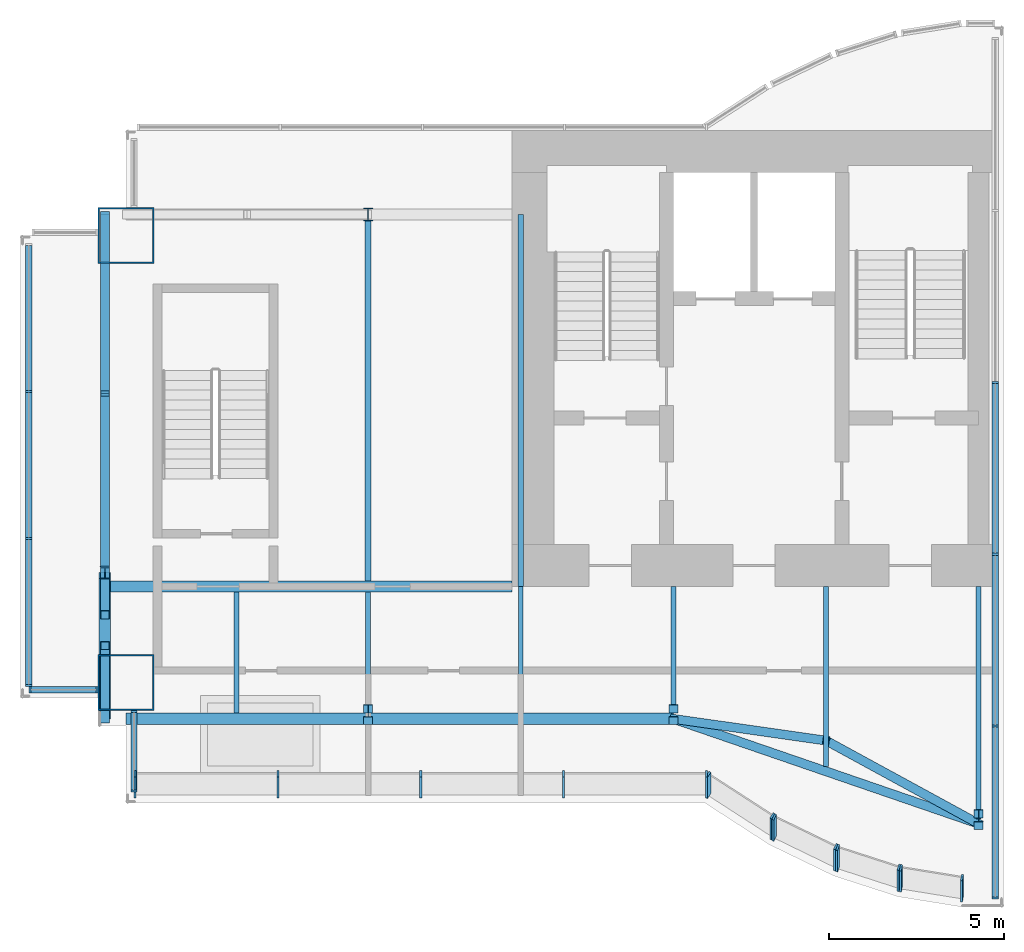
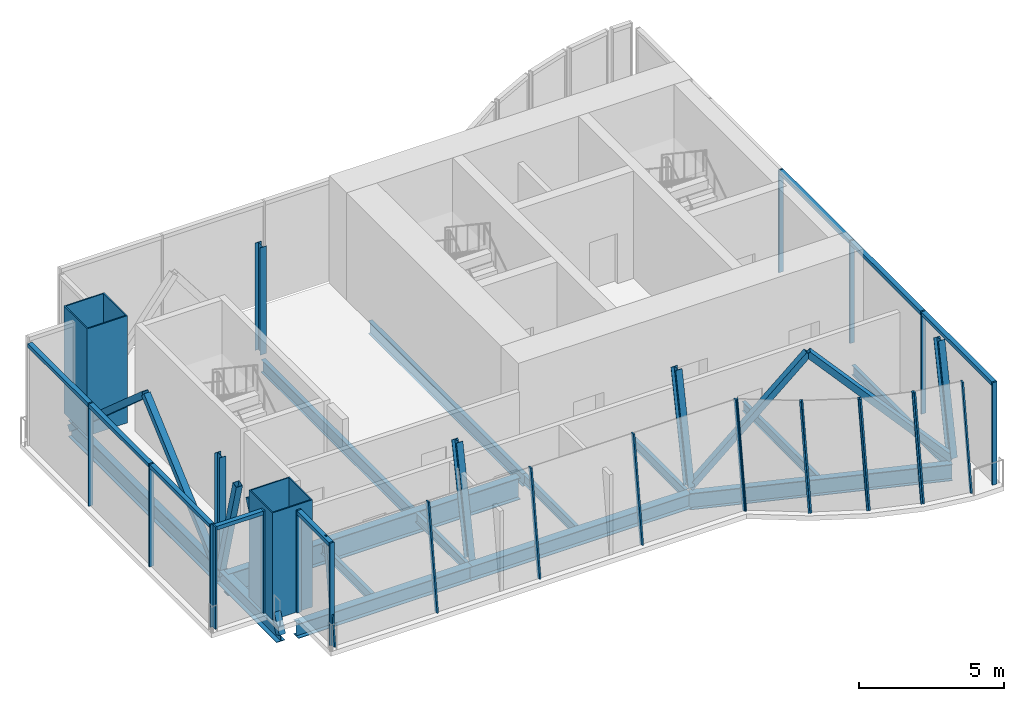
# One storey, part 1 of 6: 38 members, 14 beams, 7 columns, 9 elements without a shape of their own.
"""IFC4 building model written with IfcOpenShell, lengths in metres."""

from ifc_helpers import new_model, si_unit, direction, frame, origin, origin_2d, place, context, subcontext, project, spatial, rectangle, hollow_rectangle, i_section, extrude, material, material_profile, profile_set, type_object, element, aggregate, save


model = new_model("IFC4")

# Units and contexts
model_context = context("Model", 3, precision=1e-05, world=origin(), true_north=direction((0.0, 1.0)))
body_context = subcontext(model_context, "Body", "Model", "MODEL_VIEW")
ifc_project = project(units=[si_unit("LENGTHUNIT", "METRE"), si_unit("AREAUNIT", "SQUARE_METRE"), si_unit("VOLUMEUNIT", "CUBIC_METRE"), si_unit("PLANEANGLEUNIT", "RADIAN"), si_unit("MASSUNIT", "GRAM", prefix="KILO")], contexts=[model_context])

# Site, building, storey
site_placement = place(None, origin())
site = spatial("IfcSite", under=ifc_project, at=site_placement, CompositionType="ELEMENT")
building_placement = place(site_placement, origin())
building = spatial("IfcBuilding", under=site, at=building_placement, Name="Bicima Exchange Tower", CompositionType="ELEMENT")
storey_placement = place(building_placement, frame((0.0, 0.0, 374.89990234375)))
storey = spatial("IfcBuildingStorey", under=building, at=storey_placement, Name="L84", CompositionType="ELEMENT", Elevation=374.89990234375)

# Columns
ifc_material_1 = material(Name="Steel ASTM A572 Gr 50", Category="steel")
ifc_material_profile_1 = material_profile(ifc_material_1, hollow_rectangle(XDim=1.60009765625, YDim=1.60009765625, WallThickness=0.050048828125, at=origin_2d()))
ifc_profile_set_1 = profile_set([ifc_material_profile_1], Name="Steel ASTM A572 Gr 50")
column_type_1 = type_object("IfcColumnType", Name="Mega column BOX 1600x1600x50", PredefinedType="COLUMN", material=ifc_profile_set_1)
for number, where, z_axis, x_axis, name in (
    (1, (-33.0, -15.735107421875, 0.0), (0.0, 0.0, 1.0), (1.0, 0.0, 0.0), "Mega column mega-33.0f"),
    (2, (-33.0, -3.0, 0.0), (0.0, 0.0, 1.0), (1.0, 0.0, 0.0), "Mega column mega-33.0r"),
):
    element("IfcColumn", number, at=place(storey_placement, frame(where, z_axis=z_axis, x_axis=x_axis)), inside=storey, type_object=column_type_1, Name=name, PredefinedType="COLUMN", context=body_context, shape_type="SweptSolid", body=[
        extrude(hollow_rectangle(XDim=1.60009765625, YDim=1.60009765625, WallThickness=0.050048828125, at=origin_2d()), origin(), (0.0, 0.0, 1.0), 4.5),
    ])
ifc_material_2 = material(Name="Steel ASTM A992 Gr 50", Category="steel")
ifc_material_profile_2 = material_profile(ifc_material_2, i_section(OverallWidth=0.25390625, OverallDepth=0.35302734375, WebThickness=0.009521484375, FlangeThickness=0.016357421875, at=origin_2d()))
ifc_profile_set_2 = profile_set([ifc_material_profile_2], Name="Steel ASTM A992 Gr 50")
column_type_2 = type_object("IfcColumnType", Name="Perimeter column W14x61", PredefinedType="COLUMN", material=ifc_profile_set_2)
column_1_placement = place(storey_placement, frame((-26.10009765625, -16.766845703125, 0.03369140625), z_axis=(0.0, 0.191154699822, 0.981559922132), x_axis=(-1.0, 0.0, 0.0)))
element("IfcColumn", 3, at=column_1_placement, inside=storey, type_object=column_type_2, Name="Perimeter column grav-26.1f", PredefinedType="COLUMN", context=body_context, shape_type="SweptSolid", body=[
    extrude(i_section(OverallWidth=0.25390625, OverallDepth=0.35302734375, WebThickness=0.009521484375, FlangeThickness=0.016357421875, at=origin_2d()), origin(), (0.0, 0.0, 1.0), 4.51611328125),
])
column_2_placement = place(storey_placement, frame((-26.10009765625, -2.39990234375, 0.0), z_axis=(0.0, 0.0, 1.0), x_axis=(1.0, 0.0, 0.0)))
element("IfcColumn", 4, at=column_2_placement, inside=storey, type_object=column_type_2, Name="Perimeter column grav-26.1r", PredefinedType="COLUMN", context=body_context, shape_type="SweptSolid", body=[
    extrude(i_section(OverallWidth=0.25390625, OverallDepth=0.35302734375, WebThickness=0.009521484375, FlangeThickness=0.016357421875, at=origin_2d()), origin(), (0.0, 0.0, 1.0), 4.5),
])
for number, where, z_axis, x_axis, name in (
    (5, (-17.39990234375, -16.766845703125, 0.03369140625), (0.0, 0.191154699822, 0.981559922132), (-1.0, 0.0, 0.0), "Perimeter column grav-17.4f"),
    (6, (-8.699951171875, -19.758056640625, 0.03369140625), (0.0, 0.191206783257, 0.981549777666), (-1.0, 0.0, 0.0), "Perimeter column grav-8.7f"),
):
    element("IfcColumn", number, at=place(storey_placement, frame(where, z_axis=z_axis, x_axis=x_axis)), inside=storey, type_object=column_type_2, Name=name, PredefinedType="COLUMN", context=body_context, shape_type="SweptSolid", body=[
        extrude(i_section(OverallWidth=0.25390625, OverallDepth=0.35302734375, WebThickness=0.009521484375, FlangeThickness=0.016357421875, at=origin_2d()), origin(), (0.0, 0.0, 1.0), 4.51611328125),
    ])
column_3_placement = place(storey_placement, frame((-33.60009765625, -12.60009765625, 0.0), z_axis=(0.0, 0.0, 1.0), x_axis=(1.0, 0.0, 0.0)))
element("IfcColumn", 7, at=column_3_placement, inside=storey, type_object=column_type_2, Name="End column end-33.6e", PredefinedType="COLUMN", context=body_context, shape_type="SweptSolid", body=[
    extrude(i_section(OverallWidth=0.25390625, OverallDepth=0.35302734375, WebThickness=0.009521484375, FlangeThickness=0.016357421875, at=origin_2d()), origin(), (0.0, 0.0, 1.0), 4.5),
])

# Beam
ifc_material_profile_3 = material_profile(ifc_material_2, i_section(OverallWidth=0.3046875, OverallDepth=0.911865234375, WebThickness=0.015869140625, FlangeThickness=0.02392578125, at=origin_2d()))
ifc_profile_set_3 = profile_set([ifc_material_profile_3], Name="Steel ASTM A992 Gr 50")
beam_type_1 = type_object("IfcBeamType", Name="Core-line girder W36x150", PredefinedType="BEAM", material=ifc_profile_set_3)
beam_1_placement = place(storey_placement, frame((-22.0, -13.0, -0.65576171875), z_axis=(-1.0, 0.0, 0.0), x_axis=(0.0, -1.0, 0.0)))
element("IfcBeam", 8, at=beam_1_placement, inside=storey, type_object=beam_type_1, Name="Core-line girder", PredefinedType="BEAM", context=body_context, shape_type="SweptSolid", body=[
    extrude(i_section(OverallWidth=0.3046875, OverallDepth=0.911865234375, WebThickness=0.015869140625, FlangeThickness=0.02392578125, at=origin_2d()), origin(), (0.0, 0.0, 1.0), 11.60009765625),
])

# Curtain wall, members
ifc_material_3 = material(Name="Anodised bronze aluminium", Category="aluminium")
curtain_wall_type = type_object("IfcCurtainWallType", Name="Crown glass wall", PredefinedType="NOTDEFINED", material=ifc_material_3)
curtain_wall_1_placement = place(storey_placement, origin())
curtain_wall_1 = element("IfcCurtainWall", 9, at=curtain_wall_1_placement, inside=storey, type_object=curtain_wall_type, Name="Crown glass wall L84 run 2", PredefinedType="NOTDEFINED")
ifc_material_profile_4 = material_profile(ifc_material_3, rectangle(XDim=0.179931640625, YDim=0.06005859375, at=origin_2d()))
ifc_profile_set_4 = profile_set([ifc_material_profile_4], Name="Anodised bronze aluminium")
member_type_1 = type_object("IfcMemberType", Name="Crown glass wall mullion 60 x 180", PredefinedType="MULLION", material=ifc_profile_set_4)
member_1_placement = place(storey_placement, frame((-8.22998046875, -21.87646484375, 0.0), z_axis=(0.0, 0.0, 1.0), x_axis=(-1.0, 0.0, 0.0)))
member_1 = element("IfcMember", 10, at=member_1_placement, type_object=member_type_1, Name="Crown glass wall mullion 1", PredefinedType="MULLION", context=body_context, shape_type="SweptSolid", body=[
    extrude(rectangle(XDim=0.179931640625, YDim=0.06005859375, at=origin_2d()), origin(), (0.0, 0.0, 1.0), 4.300048828125),
])
member_2_placement = place(storey_placement, frame((-8.22998046875, -16.978515625, 0.0), z_axis=(0.0, 0.0, 1.0), x_axis=(-1.0, 0.0, 0.0)))
member_2 = element("IfcMember", 11, at=member_2_placement, type_object=member_type_1, Name="Crown glass wall mullion 2", PredefinedType="MULLION", context=body_context, shape_type="SweptSolid", body=[
    extrude(rectangle(XDim=0.179931640625, YDim=0.06005859375, at=origin_2d()), origin(), (0.0, 0.0, 1.0), 4.300048828125),
])
member_3_placement = place(storey_placement, frame((-8.22998046875, -12.08056640625, 0.0), z_axis=(0.0, 0.0, 1.0), x_axis=(-1.0, 0.0, 0.0)))
member_3 = element("IfcMember", 12, at=member_3_placement, type_object=member_type_1, Name="Crown glass wall mullion 3", PredefinedType="MULLION", context=body_context, shape_type="SweptSolid", body=[
    extrude(rectangle(XDim=0.179931640625, YDim=0.06005859375, at=origin_2d()), origin(), (0.0, 0.0, 1.0), 4.300048828125),
])
member_4_placement = place(storey_placement, frame((-8.22998046875, -7.182861328125, 0.0), z_axis=(0.0, 0.0, 1.0), x_axis=(-1.0, 0.0, 0.0)))
member_4 = element("IfcMember", 13, at=member_4_placement, type_object=member_type_1, Name="Crown glass wall mullion 4", PredefinedType="MULLION", context=body_context, shape_type="SweptSolid", body=[
    extrude(rectangle(XDim=0.179931640625, YDim=0.06005859375, at=origin_2d()), origin(), (0.0, 0.0, 1.0), 4.300048828125),
])

curtain_wall_2_placement = place(storey_placement, origin())
curtain_wall_2 = element("IfcCurtainWall", 14, at=curtain_wall_2_placement, inside=storey, type_object=curtain_wall_type, Name="Crown glass wall L84 run 11", PredefinedType="NOTDEFINED")
member_5_placement = place(storey_placement, frame((-35.77001953125, -7.44775390625, 0.0), z_axis=(0.0, 0.0, 1.0), x_axis=(1.0, 0.0, 0.0)))
member_5 = element("IfcMember", 15, at=member_5_placement, type_object=member_type_1, Name="Crown glass wall mullion 2", PredefinedType="MULLION", context=body_context, shape_type="SweptSolid", body=[
    extrude(rectangle(XDim=0.179931640625, YDim=0.06005859375, at=origin_2d()), origin(), (0.0, 0.0, 1.0), 4.300048828125),
])
member_6_placement = place(storey_placement, frame((-35.77001953125, -11.635498046875, 0.0), z_axis=(0.0, 0.0, 1.0), x_axis=(1.0, 0.0, 0.0)))
member_6 = element("IfcMember", 16, at=member_6_placement, type_object=member_type_1, Name="Crown glass wall mullion 3", PredefinedType="MULLION", context=body_context, shape_type="SweptSolid", body=[
    extrude(rectangle(XDim=0.179931640625, YDim=0.06005859375, at=origin_2d()), origin(), (0.0, 0.0, 1.0), 4.300048828125),
])
member_7_placement = place(storey_placement, frame((-35.77001953125, -15.823486328125, 0.0), z_axis=(0.0, 0.0, 1.0), x_axis=(1.0, 0.0, 0.0)))
member_7 = element("IfcMember", 17, at=member_7_placement, type_object=member_type_1, Name="Crown glass wall mullion 4", PredefinedType="MULLION", context=body_context, shape_type="SweptSolid", body=[
    extrude(rectangle(XDim=0.179931640625, YDim=0.06005859375, at=origin_2d()), origin(), (0.0, 0.0, 1.0), 4.300048828125),
])

curtain_wall_3_placement = place(storey_placement, origin())
curtain_wall_3 = element("IfcCurtainWall", 18, at=curtain_wall_3_placement, inside=storey, type_object=curtain_wall_type, Name="Crown glass wall L84 run 12", PredefinedType="NOTDEFINED")
member_8_placement = place(storey_placement, frame((-35.739990234375, -15.943359375, 0.0), z_axis=(0.0, 0.0, 1.0), x_axis=(0.0, 1.0, 0.0)))
member_8 = element("IfcMember", 19, at=member_8_placement, type_object=member_type_1, Name="Crown glass wall mullion 1", PredefinedType="MULLION", context=body_context, shape_type="SweptSolid", body=[
    extrude(rectangle(XDim=0.179931640625, YDim=0.06005859375, at=origin_2d()), origin(), (0.0, 0.0, 1.0), 4.300048828125),
])
member_9_placement = place(storey_placement, frame((-33.830078125, -15.943359375, 0.0), z_axis=(0.0, 0.0, 1.0), x_axis=(0.0, 1.0, 0.0)))
member_9 = element("IfcMember", 20, at=member_9_placement, type_object=member_type_1, Name="Crown glass wall mullion 2", PredefinedType="MULLION", context=body_context, shape_type="SweptSolid", body=[
    extrude(rectangle(XDim=0.179931640625, YDim=0.06005859375, at=origin_2d()), origin(), (0.0, 0.0, 1.0), 4.300048828125),
])

curtain_wall_4_placement = place(storey_placement, origin())
curtain_wall_4 = element("IfcCurtainWall", 21, at=curtain_wall_4_placement, inside=storey, type_object=curtain_wall_type, Name="Crown glass wall L84 run 13", PredefinedType="NOTDEFINED")
member_10_placement = place(storey_placement, frame((-32.77001953125, -16.565185546875, 0.0), z_axis=(0.0, 0.0, 1.0), x_axis=(1.0, 0.0, 0.0)))
member_10 = element("IfcMember", 22, at=member_10_placement, type_object=member_type_1, Name="Crown glass wall mullion 1", PredefinedType="MULLION", context=body_context, shape_type="SweptSolid", body=[
    extrude(rectangle(XDim=0.179931640625, YDim=0.06005859375, at=origin_2d()), origin(), (0.0, 0.0, 1.0), 4.300048828125),
])
member_11_placement = place(storey_placement, frame((-32.77001953125, -18.823486328125, 0.0), z_axis=(0.0, 0.0, 1.0), x_axis=(1.0, 0.0, 0.0)))
member_11 = element("IfcMember", 23, at=member_11_placement, type_object=member_type_1, Name="Crown glass wall mullion 2", PredefinedType="MULLION", context=body_context, shape_type="SweptSolid", body=[
    extrude(rectangle(XDim=0.179931640625, YDim=0.06005859375, at=origin_2d()), origin(), (0.0, 0.0, 1.0), 4.300048828125),
])

curtain_wall_5_placement = place(storey_placement, origin())
curtain_wall_5 = element("IfcCurtainWall", 24, at=curtain_wall_5_placement, inside=storey, type_object=curtain_wall_type, Name="Crown tilted glass L84 14.1", PredefinedType="NOTDEFINED")
member_12_placement = place(storey_placement, frame((-32.739990234375, -18.943359375, 0.0), z_axis=(0.0, 0.139154039626, 0.99027074745), x_axis=(0.0, -0.99027074745, 0.139154039626)))
member_12 = element("IfcMember", 25, at=member_12_placement, type_object=member_type_1, Name="Crown tilted mullion 1", PredefinedType="MULLION", context=body_context, shape_type="SweptSolid", body=[
    extrude(rectangle(XDim=0.179931640625, YDim=0.06005859375, at=origin_2d()), origin(), (0.0, 0.0, 1.0), 4.34228515625),
])
member_13_placement = place(storey_placement, frame((-28.67041015625, -18.943359375, 0.0), z_axis=(0.0, 0.139154039626, 0.99027074745), x_axis=(0.0, -0.99027074745, 0.139154039626)))
member_13 = element("IfcMember", 26, at=member_13_placement, type_object=member_type_1, Name="Crown tilted mullion 2", PredefinedType="MULLION", context=body_context, shape_type="SweptSolid", body=[
    extrude(rectangle(XDim=0.179931640625, YDim=0.06005859375, at=origin_2d()), origin(), (0.0, 0.0, 1.0), 4.34228515625),
])
member_14_placement = place(storey_placement, frame((-24.60107421875, -18.943359375, 0.0), z_axis=(0.0, 0.139154039626, 0.99027074745), x_axis=(0.0, -0.99027074745, 0.139154039626)))
member_14 = element("IfcMember", 27, at=member_14_placement, type_object=member_type_1, Name="Crown tilted mullion 3", PredefinedType="MULLION", context=body_context, shape_type="SweptSolid", body=[
    extrude(rectangle(XDim=0.179931640625, YDim=0.06005859375, at=origin_2d()), origin(), (0.0, 0.0, 1.0), 4.34228515625),
])
member_15_placement = place(storey_placement, frame((-20.531494140625, -18.943359375, 0.0), z_axis=(0.0, 0.139154039626, 0.99027074745), x_axis=(0.0, -0.99027074745, 0.139154039626)))
member_15 = element("IfcMember", 28, at=member_15_placement, type_object=member_type_1, Name="Crown tilted mullion 4", PredefinedType="MULLION", context=body_context, shape_type="SweptSolid", body=[
    extrude(rectangle(XDim=0.179931640625, YDim=0.06005859375, at=origin_2d()), origin(), (0.0, 0.0, 1.0), 4.34228515625),
])
member_16_placement = place(storey_placement, frame((-16.462158203125, -18.943359375, 0.0), z_axis=(0.0, 0.139154039626, 0.99027074745), x_axis=(0.0, -0.99027074745, 0.139154039626)))
member_16 = element("IfcMember", 29, at=member_16_placement, type_object=member_type_1, Name="Crown tilted mullion 5", PredefinedType="MULLION", context=body_context, shape_type="SweptSolid", body=[
    extrude(rectangle(XDim=0.179931640625, YDim=0.06005859375, at=origin_2d()), origin(), (0.0, 0.0, 1.0), 4.34228515625),
])
aggregate(curtain_wall_5, [member_12, member_13, member_14, member_15, member_16])

curtain_wall_6_placement = place(storey_placement, origin())
curtain_wall_6 = element("IfcCurtainWall", 30, at=curtain_wall_6_placement, inside=storey, type_object=curtain_wall_type, Name="Crown tilted glass L84 15.1", PredefinedType="NOTDEFINED")
member_17_placement = place(storey_placement, frame((-16.406982421875, -18.959716796875, 0.0), z_axis=(0.0, 0.139154039626, 0.99027074745), x_axis=(-0.542910648791, -0.831619932848, 0.116860235837)))
member_17 = element("IfcMember", 31, at=member_17_placement, type_object=member_type_1, Name="Crown tilted mullion 1", PredefinedType="MULLION", context=body_context, shape_type="SweptSolid", body=[
    extrude(rectangle(XDim=0.179931640625, YDim=0.06005859375, at=origin_2d()), origin(), (0.0, 0.0, 1.0), 4.34228515625),
])
member_18_placement = place(storey_placement, frame((-14.578857421875, -20.1416015625, 0.0), z_axis=(0.0, 0.139209174124, 0.990262998319), x_axis=(-0.542910648791, -0.831613425201, 0.116906537262)))
member_18 = element("IfcMember", 32, at=member_18_placement, type_object=member_type_1, Name="Crown tilted mullion 2", PredefinedType="MULLION", context=body_context, shape_type="SweptSolid", body=[
    extrude(rectangle(XDim=0.179931640625, YDim=0.06005859375, at=origin_2d()), origin(), (0.0, 0.0, 1.0), 4.34228515625),
])
aggregate(curtain_wall_6, [member_17, member_18])

curtain_wall_7_placement = place(storey_placement, origin())
curtain_wall_7 = element("IfcCurtainWall", 33, at=curtain_wall_7_placement, inside=storey, type_object=curtain_wall_type, Name="Crown tilted glass L84 16.1", PredefinedType="NOTDEFINED")
member_19_placement = place(storey_placement, frame((-14.526611328125, -20.1708984375, 0.0), z_axis=(0.0, 0.139154039626, 0.99027074745), x_axis=(-0.436264762204, -0.891063786867, 0.125213357889)))
member_19 = element("IfcMember", 34, at=member_19_placement, type_object=member_type_1, Name="Crown tilted mullion 1", PredefinedType="MULLION", context=body_context, shape_type="SweptSolid", body=[
    extrude(rectangle(XDim=0.179931640625, YDim=0.06005859375, at=origin_2d()), origin(), (0.0, 0.0, 1.0), 4.34228515625),
])
member_20_placement = place(storey_placement, frame((-12.7744140625, -21.0205078125, 0.0), z_axis=(0.0, 0.139154039626, 0.99027074745), x_axis=(-0.436264762204, -0.891063786867, 0.125213357889)))
member_20 = element("IfcMember", 35, at=member_20_placement, type_object=member_type_1, Name="Crown tilted mullion 2", PredefinedType="MULLION", context=body_context, shape_type="SweptSolid", body=[
    extrude(rectangle(XDim=0.179931640625, YDim=0.06005859375, at=origin_2d()), origin(), (0.0, 0.0, 1.0), 4.34228515625),
])
aggregate(curtain_wall_7, [member_19, member_20])

curtain_wall_8_placement = place(storey_placement, origin())
curtain_wall_8 = element("IfcCurtainWall", 36, at=curtain_wall_8_placement, inside=storey, type_object=curtain_wall_type, Name="Crown tilted glass L84 17.1", PredefinedType="NOTDEFINED")
member_21_placement = place(storey_placement, frame((-12.71875, -21.042724609375, 0.0), z_axis=(0.0, 0.139154039626, 0.99027074745), x_axis=(-0.307572519808, -0.942267018828, 0.132408497791)))
member_21 = element("IfcMember", 37, at=member_21_placement, type_object=member_type_1, Name="Crown tilted mullion 1", PredefinedType="MULLION", context=body_context, shape_type="SweptSolid", body=[
    extrude(rectangle(XDim=0.179931640625, YDim=0.06005859375, at=origin_2d()), origin(), (0.0, 0.0, 1.0), 4.34228515625),
])
member_22_placement = place(storey_placement, frame((-10.974609375, -21.606689453125, 0.0), z_axis=(0.0, 0.139209174124, 0.990262998319), x_axis=(-0.307572519808, -0.942259645339, 0.132460959624)))
member_22 = element("IfcMember", 38, at=member_22_placement, type_object=member_type_1, Name="Crown tilted mullion 2", PredefinedType="MULLION", context=body_context, shape_type="SweptSolid", body=[
    extrude(rectangle(XDim=0.179931640625, YDim=0.06005859375, at=origin_2d()), origin(), (0.0, 0.0, 1.0), 4.34228515625),
])
aggregate(curtain_wall_8, [member_21, member_22])

curtain_wall_9_placement = place(storey_placement, origin())
curtain_wall_9 = element("IfcCurtainWall", 39, at=curtain_wall_9_placement, inside=storey, type_object=curtain_wall_type, Name="Crown tilted glass L84 18.1", PredefinedType="NOTDEFINED")
member_23_placement = place(storey_placement, frame((-10.91650390625, -21.62060546875, 0.0), z_axis=(0.0, 0.139154039626, 0.99027074745), x_axis=(-0.159550386184, -0.977585167601, 0.137371446648)))
member_23 = element("IfcMember", 40, at=member_23_placement, type_object=member_type_1, Name="Crown tilted mullion 1", PredefinedType="MULLION", context=body_context, shape_type="SweptSolid", body=[
    extrude(rectangle(XDim=0.179931640625, YDim=0.06005859375, at=origin_2d()), origin(), (0.0, 0.0, 1.0), 4.34228515625),
])
member_24_placement = place(storey_placement, frame((-9.177734375, -21.901611328125, 0.0), z_axis=(0.0, 0.139154039626, 0.99027074745), x_axis=(-0.159550386184, -0.977585167601, 0.137371446648)))
member_24 = element("IfcMember", 41, at=member_24_placement, type_object=member_type_1, Name="Crown tilted mullion 2", PredefinedType="MULLION", context=body_context, shape_type="SweptSolid", body=[
    extrude(rectangle(XDim=0.179931640625, YDim=0.06005859375, at=origin_2d()), origin(), (0.0, 0.0, 1.0), 4.34228515625),
])
aggregate(curtain_wall_9, [member_23, member_24])

# Member
ifc_material_profile_5 = material_profile(ifc_material_3, rectangle(XDim=0.179931640625, YDim=0.159912109375, at=origin_2d()))
ifc_profile_set_5 = profile_set([ifc_material_profile_5], Name="Anodised bronze aluminium")
member_type_2 = type_object("IfcMemberType", Name="Crown glass wall transom 160 x 180", PredefinedType="USERDEFINED", material=ifc_profile_set_5)
member_25_placement = place(storey_placement, frame((-8.22998046875, -21.846435546875, 4.22021484375), z_axis=(0.0, 1.0, 0.0), x_axis=(-1.0, 0.0, 0.0)))
member_25 = element("IfcMember", 42, at=member_25_placement, type_object=member_type_2, Name="Crown glass wall transom 1.1", ObjectType="TRANSOM", PredefinedType="USERDEFINED", context=body_context, shape_type="SweptSolid", body=[
    extrude(rectangle(XDim=0.179931640625, YDim=0.159912109375, at=origin_2d()), origin(), (0.0, 0.0, 1.0), 4.837890625),
])

member_26_placement = place(storey_placement, frame((-8.22998046875, -16.948486328125, 4.22021484375), z_axis=(0.0, 1.0, 0.0), x_axis=(-1.0, 0.0, 0.0)))
member_26 = element("IfcMember", 43, at=member_26_placement, type_object=member_type_2, Name="Crown glass wall transom 2.1", ObjectType="TRANSOM", PredefinedType="USERDEFINED", context=body_context, shape_type="SweptSolid", body=[
    extrude(rectangle(XDim=0.179931640625, YDim=0.159912109375, at=origin_2d()), origin(), (0.0, 0.0, 1.0), 4.837890625),
])

member_27_placement = place(storey_placement, frame((-8.22998046875, -12.050537109375, 4.22021484375), z_axis=(0.0, 1.0, 0.0), x_axis=(-1.0, 0.0, 0.0)))
member_27 = element("IfcMember", 44, at=member_27_placement, type_object=member_type_2, Name="Crown glass wall transom 3.1", ObjectType="TRANSOM", PredefinedType="USERDEFINED", context=body_context, shape_type="SweptSolid", body=[
    extrude(rectangle(XDim=0.179931640625, YDim=0.159912109375, at=origin_2d()), origin(), (0.0, 0.0, 1.0), 4.837646484375),
])

aggregate(curtain_wall_1, [member_1, member_2, member_3, member_4, member_25, member_26, member_27])

member_28_placement = place(storey_placement, frame((-35.77001953125, -3.2900390625, 4.22021484375), z_axis=(0.0, -1.0, 0.0), x_axis=(1.0, 0.0, 0.0)))
member_28 = element("IfcMember", 45, at=member_28_placement, type_object=member_type_2, Name="Crown glass wall transom 1.1", ObjectType="TRANSOM", PredefinedType="USERDEFINED", context=body_context, shape_type="SweptSolid", body=[
    extrude(rectangle(XDim=0.179931640625, YDim=0.159912109375, at=origin_2d()), origin(), (0.0, 0.0, 1.0), 4.127685546875),
])

member_29_placement = place(storey_placement, frame((-35.77001953125, -7.477783203125, 4.22021484375), z_axis=(0.0, -1.0, 0.0), x_axis=(1.0, 0.0, 0.0)))
member_29 = element("IfcMember", 46, at=member_29_placement, type_object=member_type_2, Name="Crown glass wall transom 2.1", ObjectType="TRANSOM", PredefinedType="USERDEFINED", context=body_context, shape_type="SweptSolid", body=[
    extrude(rectangle(XDim=0.179931640625, YDim=0.159912109375, at=origin_2d()), origin(), (0.0, 0.0, 1.0), 4.1279296875),
])

member_30_placement = place(storey_placement, frame((-35.77001953125, -11.66552734375, 4.22021484375), z_axis=(0.0, -1.0, 0.0), x_axis=(1.0, 0.0, 0.0)))
member_30 = element("IfcMember", 47, at=member_30_placement, type_object=member_type_2, Name="Crown glass wall transom 3.1", ObjectType="TRANSOM", PredefinedType="USERDEFINED", context=body_context, shape_type="SweptSolid", body=[
    extrude(rectangle(XDim=0.179931640625, YDim=0.159912109375, at=origin_2d()), origin(), (0.0, 0.0, 1.0), 4.1279296875),
])

aggregate(curtain_wall_2, [member_5, member_6, member_7, member_28, member_29, member_30])

member_31_placement = place(storey_placement, frame((-35.7099609375, -15.943359375, 4.22021484375), z_axis=(1.0, 0.0, 0.0), x_axis=(0.0, 1.0, 0.0)))
member_31 = element("IfcMember", 48, at=member_31_placement, type_object=member_type_2, Name="Crown glass wall transom 1.1", ObjectType="TRANSOM", PredefinedType="USERDEFINED", context=body_context, shape_type="SweptSolid", body=[
    extrude(rectangle(XDim=0.179931640625, YDim=0.159912109375, at=origin_2d()), origin(), (0.0, 0.0, 1.0), 1.849853515625),
])

aggregate(curtain_wall_3, [member_8, member_9, member_31])

member_32_placement = place(storey_placement, frame((-32.77001953125, -16.59521484375, 4.22021484375), z_axis=(0.0, -1.0, 0.0), x_axis=(1.0, 0.0, 0.0)))
member_32 = element("IfcMember", 49, at=member_32_placement, type_object=member_type_2, Name="Crown glass wall transom 1.1", ObjectType="TRANSOM", PredefinedType="USERDEFINED", context=body_context, shape_type="SweptSolid", body=[
    extrude(rectangle(XDim=0.179931640625, YDim=0.159912109375, at=origin_2d()), origin(), (0.0, 0.0, 1.0), 2.1982421875),
])

aggregate(curtain_wall_4, [member_10, member_11, member_32])

# Beams
ifc_material_profile_6 = material_profile(ifc_material_2, i_section(OverallWidth=0.3251953125, OverallDepth=0.612060546875, WebThickness=0.0126953125, FlangeThickness=0.01904296875, at=origin_2d()))
ifc_profile_set_6 = profile_set([ifc_material_profile_6], Name="Steel ASTM A992 Gr 50")
beam_type_2 = type_object("IfcBeamType", Name="End girder W24x104", PredefinedType="BEAM", material=ifc_profile_set_6)
beam_2_placement = place(storey_placement, frame((-33.60009765625, -12.60009765625, -0.506103515625), z_axis=(0.0, -1.0, 0.0), x_axis=(1.0, 0.0, 0.0)))
element("IfcBeam", 50, at=beam_2_placement, inside=storey, type_object=beam_type_2, Name="End girder", PredefinedType="BEAM", context=body_context, shape_type="SweptSolid", body=[
    extrude(i_section(OverallWidth=0.3251953125, OverallDepth=0.612060546875, WebThickness=0.0126953125, FlangeThickness=0.01904296875, at=origin_2d()), origin(), (0.0, 0.0, 1.0), 4.17333984375),
])
ifc_material_profile_7 = material_profile(ifc_material_2, i_section(OverallWidth=0.256591796875, OverallDepth=0.693359375, WebThickness=0.014404296875, FlangeThickness=0.023681640625, at=origin_2d()))
ifc_profile_set_7 = profile_set([ifc_material_profile_7], Name="Steel ASTM A992 Gr 50")
beam_type_3 = type_object("IfcBeamType", Name="End girder W27x114", PredefinedType="BEAM", material=ifc_profile_set_7)
beam_3_placement = place(storey_placement, frame((-33.60009765625, -2.39990234375, -0.546630859375), z_axis=(0.0, -1.0, 0.0), x_axis=(1.0, 0.0, 0.0)))
element("IfcBeam", 51, at=beam_3_placement, inside=storey, type_object=beam_type_3, Name="End girder", PredefinedType="BEAM", context=body_context, shape_type="SweptSolid", body=[
    extrude(i_section(OverallWidth=0.256591796875, OverallDepth=0.693359375, WebThickness=0.014404296875, FlangeThickness=0.023681640625, at=origin_2d()), origin(), (0.0, 0.0, 1.0), 10.2001953125),
])
ifc_material_profile_8 = material_profile(ifc_material_2, i_section(OverallWidth=0.140380859375, OverallDepth=0.40380859375, WebThickness=0.007080078125, FlangeThickness=0.01123046875, at=origin_2d()))
ifc_profile_set_8 = profile_set([ifc_material_profile_8], Name="Steel ASTM A992 Gr 50")
beam_type_4 = type_object("IfcBeamType", Name="Floor beam W16x31", PredefinedType="JOIST", material=ifc_profile_set_8)
for number, where, z_axis, x_axis, name in (
    (52, (-29.85009765625, -13.15234375, -0.40185546875), (0.0, -1.0, 0.0), (1.0, 0.0, 0.0), "Floor beam"),
    (53, (-26.10009765625, -13.15234375, -0.40185546875), (0.0, -1.0, 0.0), (1.0, 0.0, 0.0), "Floor beam"),
):
    element("IfcBeam", number, at=place(storey_placement, frame(where, z_axis=z_axis, x_axis=x_axis)), inside=storey, type_object=beam_type_4, Name=name, PredefinedType="JOIST", context=body_context, shape_type="SweptSolid", body=[
        extrude(i_section(OverallWidth=0.140380859375, OverallDepth=0.40380859375, WebThickness=0.007080078125, FlangeThickness=0.01123046875, at=origin_2d()), origin(), (0.0, 0.0, 1.0), 3.45849609375),
    ])
for number, where, z_axis, x_axis, name in (
    (54, (-21.75, -13.0, -0.40185546875), (0.0, -1.0, 0.0), (1.0, 0.0, 0.0), "Floor beam"),
    (55, (-17.39990234375, -13.0, -0.40185546875), (0.0, -1.0, 0.0), (1.0, 0.0, 0.0), "Floor beam"),
):
    element("IfcBeam", number, at=place(storey_placement, frame(where, z_axis=z_axis, x_axis=x_axis)), inside=storey, type_object=beam_type_4, Name=name, PredefinedType="JOIST", context=body_context, shape_type="SweptSolid", body=[
        extrude(i_section(OverallWidth=0.140380859375, OverallDepth=0.40380859375, WebThickness=0.007080078125, FlangeThickness=0.01123046875, at=origin_2d()), origin(), (0.0, 0.0, 1.0), 3.61083984375),
    ])
beam_4_placement = place(storey_placement, frame((-13.050048828125, -13.0, -0.40185546875), z_axis=(0.0, -1.0, 0.0), x_axis=(1.0, 0.0, 0.0)))
element("IfcBeam", 56, at=beam_4_placement, inside=storey, type_object=beam_type_4, Name="Floor beam", PredefinedType="JOIST", context=body_context, shape_type="SweptSolid", body=[
    extrude(i_section(OverallWidth=0.140380859375, OverallDepth=0.40380859375, WebThickness=0.007080078125, FlangeThickness=0.01123046875, at=origin_2d()), origin(), (0.0, 0.0, 1.0), 5.13330078125),
])
beam_5_placement = place(storey_placement, frame((-8.699951171875, -13.0, -0.40185546875), z_axis=(0.0, -1.0, 0.0), x_axis=(1.0, 0.0, 0.0)))
element("IfcBeam", 57, at=beam_5_placement, inside=storey, type_object=beam_type_4, Name="Floor beam", PredefinedType="JOIST", context=body_context, shape_type="SweptSolid", body=[
    extrude(i_section(OverallWidth=0.140380859375, OverallDepth=0.40380859375, WebThickness=0.007080078125, FlangeThickness=0.01123046875, at=origin_2d()), origin(), (0.0, 0.0, 1.0), 6.62890625),
])
ifc_material_profile_9 = material_profile(ifc_material_2, i_section(OverallWidth=0.165771484375, OverallDepth=0.5283203125, WebThickness=0.009765625, FlangeThickness=0.013671875, at=origin_2d()))
ifc_profile_set_9 = profile_set([ifc_material_profile_9], Name="Steel ASTM A992 Gr 50")
beam_type_5 = type_object("IfcBeamType", Name="Floor beam W21x50", PredefinedType="JOIST", material=ifc_profile_set_9)
beam_6_placement = place(storey_placement, frame((-26.10009765625, -2.5625, -0.464111328125), z_axis=(0.0, -1.0, 0.0), x_axis=(1.0, 0.0, 0.0)))
element("IfcBeam", 58, at=beam_6_placement, inside=storey, type_object=beam_type_5, Name="Floor beam", PredefinedType="JOIST", context=body_context, shape_type="SweptSolid", body=[
    extrude(i_section(OverallWidth=0.165771484375, OverallDepth=0.5283203125, WebThickness=0.009765625, FlangeThickness=0.013671875, at=origin_2d()), origin(), (0.0, 0.0, 1.0), 10.28515625),
])
beam_7_placement = place(storey_placement, frame((-21.75, -2.39990234375, -0.464111328125), z_axis=(0.0, -1.0, 0.0), x_axis=(1.0, 0.0, 0.0)))
element("IfcBeam", 59, at=beam_7_placement, inside=storey, type_object=beam_type_5, Name="Floor beam", PredefinedType="JOIST", context=body_context, shape_type="SweptSolid", body=[
    extrude(i_section(OverallWidth=0.165771484375, OverallDepth=0.5283203125, WebThickness=0.009765625, FlangeThickness=0.013671875, at=origin_2d()), origin(), (0.0, 0.0, 1.0), 10.60009765625),
])
beam_type_6 = type_object("IfcBeamType", Name="Front girder W24x104", PredefinedType="BEAM", material=ifc_profile_set_6)
beam_8_placement = place(storey_placement, frame((-33.0, -16.7734375, -0.506103515625), z_axis=(1.0, 0.0, 0.0), x_axis=(0.0, 1.0, 0.0)))
element("IfcBeam", 60, at=beam_8_placement, inside=storey, type_object=beam_type_6, Name="Front girder", PredefinedType="BEAM", context=body_context, shape_type="SweptSolid", body=[
    extrude(i_section(OverallWidth=0.3251953125, OverallDepth=0.612060546875, WebThickness=0.0126953125, FlangeThickness=0.01904296875, at=origin_2d()), origin(), (0.0, 0.0, 1.0), 6.89990234375),
])
beam_9_placement = place(storey_placement, frame((-26.10009765625, -16.7734375, -0.506103515625), z_axis=(1.0, 0.0, 0.0), x_axis=(0.0, 1.0, 0.0)))
element("IfcBeam", 61, at=beam_9_placement, inside=storey, type_object=beam_type_6, Name="Front girder", PredefinedType="BEAM", context=body_context, shape_type="SweptSolid", body=[
    extrude(i_section(OverallWidth=0.3251953125, OverallDepth=0.612060546875, WebThickness=0.0126953125, FlangeThickness=0.01904296875, at=origin_2d()), origin(), (0.0, 0.0, 1.0), 8.7001953125),
])
beam_type_7 = type_object("IfcBeamType", Name="Front girder W27x114", PredefinedType="BEAM", material=ifc_profile_set_7)
beam_10_placement = place(storey_placement, frame((-17.39990234375, -16.7734375, -0.546630859375), z_axis=(0.945674616091, -0.32511462668, 0.0), x_axis=(0.32511462668, 0.945674616091, 0.0)))
element("IfcBeam", 62, at=beam_10_placement, inside=storey, type_object=beam_type_7, Name="Front girder", PredefinedType="BEAM", context=body_context, shape_type="SweptSolid", body=[
    extrude(i_section(OverallWidth=0.256591796875, OverallDepth=0.693359375, WebThickness=0.014404296875, FlangeThickness=0.023681640625, at=origin_2d()), origin(), (0.0, 0.0, 1.0), 9.19970703125),
])

# Members
ifc_material_profile_10 = material_profile(ifc_material_1, hollow_rectangle(XDim=0.25390625, YDim=0.25390625, WallThickness=0.01171875, at=origin_2d()))
ifc_profile_set_10 = profile_set([ifc_material_profile_10], Name="Steel ASTM A572 Gr 50")
member_type_3 = type_object("IfcMemberType", Name="Mega brace HSS10x10x1/2", PredefinedType="BRACE", material=ifc_profile_set_10)
member_33_placement = place(storey_placement, frame((-17.39990234375, -16.7734375, 0.0), z_axis=(0.691634023196, -0.09844440045, 0.715507566681), x_axis=(0.140915686076, 0.99002160048, 0.0)))
element("IfcMember", 63, at=member_33_placement, inside=storey, type_object=member_type_3, Name="Mega brace front", PredefinedType="BRACE", context=body_context, shape_type="SweptSolid", body=[
    extrude(hollow_rectangle(XDim=0.25390625, YDim=0.25390625, WallThickness=0.01171875, at=origin_2d()), origin(), (0.0, 0.0, 1.0), 6.289306640625),
])
member_34_placement = place(storey_placement, frame((-8.699951171875, -19.764404296875, 0.0), z_axis=(-0.64992806025, 0.354363626969, 0.672324279185), x_axis=(-0.478703672043, -0.877976534067, 0.0)))
element("IfcMember", 64, at=member_34_placement, inside=storey, type_object=member_type_3, Name="Mega brace front", PredefinedType="BRACE", context=body_context, shape_type="SweptSolid", body=[
    extrude(hollow_rectangle(XDim=0.25390625, YDim=0.25390625, WallThickness=0.01171875, at=origin_2d()), origin(), (0.0, 0.0, 1.0), 6.693115234375),
])
for number, where, z_axis, x_axis, name in (
    (65, (-33.60009765625, -2.39990234375, -0.546630859375), (0.0, -0.749844140428, 0.661614513948), (1.0, 0.0, 0.0), "Mega brace west end"),
    (66, (-33.60009765625, -12.60009765625, -0.546630859375), (0.0, 0.749844140428, 0.661614513948), (-1.0, 0.0, 0.0), "Mega brace west end"),
):
    element("IfcMember", number, at=place(storey_placement, frame(where, z_axis=z_axis, x_axis=x_axis)), inside=storey, type_object=member_type_3, Name=name, PredefinedType="BRACE", context=body_context, shape_type="SweptSolid", body=[
        extrude(hollow_rectangle(XDim=0.25390625, YDim=0.25390625, WallThickness=0.01171875, at=origin_2d()), origin(), (0.0, 0.0, 1.0), 6.801513671875),
    ])
member_35_placement = place(storey_placement, frame((-33.60009765625, -12.60009765625, -0.506103515625), z_axis=(0.0, -0.259706662276, 0.965687552767), x_axis=(1.0, 0.0, 0.0)))
element("IfcMember", 67, at=member_35_placement, inside=storey, type_object=member_type_3, Name="Mega brace west end", PredefinedType="BRACE", context=body_context, shape_type="SweptSolid", body=[
    extrude(hollow_rectangle(XDim=0.25390625, YDim=0.25390625, WallThickness=0.01171875, at=origin_2d()), origin(), (0.0, 0.0, 1.0), 4.659912109375),
])
member_36_placement = place(storey_placement, frame((-33.60009765625, -16.7734375, -0.506103515625), z_axis=(0.0, 0.420677425977, 0.907210286137), x_axis=(-1.0, 0.0, 0.0)))
element("IfcMember", 68, at=member_36_placement, inside=storey, type_object=member_type_3, Name="Mega brace west end", PredefinedType="BRACE", context=body_context, shape_type="SweptSolid", body=[
    extrude(hollow_rectangle(XDim=0.25390625, YDim=0.25390625, WallThickness=0.01171875, at=origin_2d()), origin(), (0.0, 0.0, 1.0), 4.960205078125),
])

save(model, "model.ifc")
